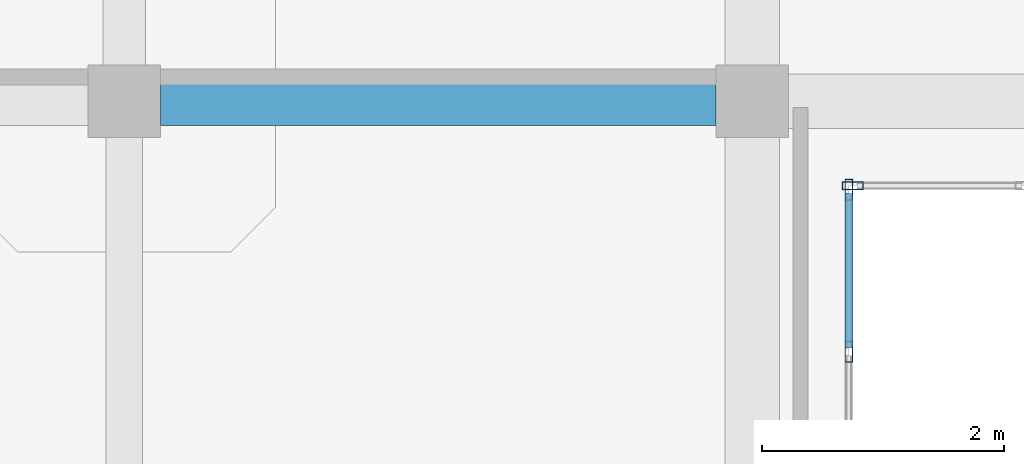
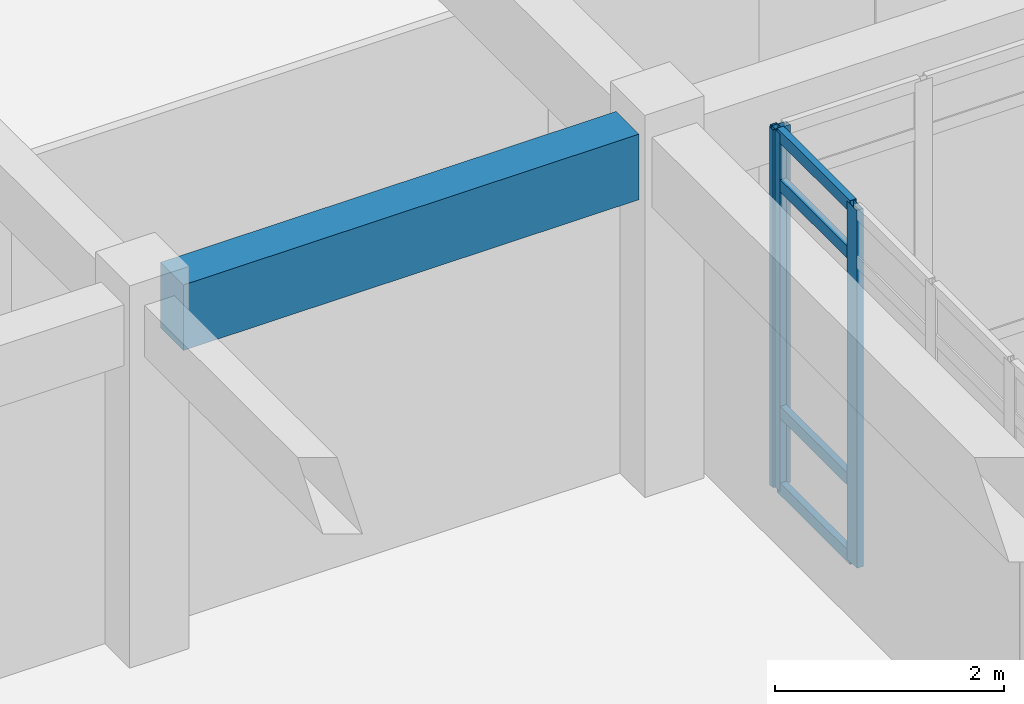
# One storey, part 105 of 146: 7 members, 1 beam, 2 elements without a shape of their own.
"""IFC4 building model written with IfcOpenShell, lengths in metres."""

from ifc_helpers import new_model, si_unit, direction, frame, origin, origin_2d, place, context, subcontext, project, spatial, rectangle, hollow_rectangle, extrude, material, layer, layer_set, material_profile, profile_set, type_object, element, aggregate, save


model = new_model("IFC4")

# Units and contexts
model_context = context("Model", 3, precision=1e-05, world=origin(), true_north=direction((0.0, 1.0)))
body_context = subcontext(model_context, "Body", "Model", "MODEL_VIEW")
ifc_project = project(units=[si_unit("LENGTHUNIT", "METRE"), si_unit("AREAUNIT", "SQUARE_METRE"), si_unit("VOLUMEUNIT", "CUBIC_METRE"), si_unit("PLANEANGLEUNIT", "RADIAN"), si_unit("MASSUNIT", "GRAM", prefix="KILO")], contexts=[model_context])

# Site, building, storey
site_placement = place(None, origin())
site = spatial("IfcSite", under=ifc_project, at=site_placement, CompositionType="ELEMENT")
building_placement = place(site_placement, origin())
building = spatial("IfcBuilding", under=site, at=building_placement, Name="Valcora Specialist Clinic", CompositionType="ELEMENT")
storey_placement = place(building_placement, frame((0.0, 0.0, 9.52001953125)))
storey = spatial("IfcBuildingStorey", under=building, at=storey_placement, Name="L02", CompositionType="ELEMENT", Elevation=9.52001953125)

# Beam
ifc_material_1 = material(Name="Concrete C40/50", Category="concrete")
ifc_material_profile_1 = material_profile(ifc_material_1, rectangle(XDim=0.39990234375, YDim=0.699951171875, at=origin_2d()), Name="RC-BM-400X700")
ifc_profile_set_1 = profile_set([ifc_material_profile_1], Name="Concrete C40/50")
beam_type = type_object("IfcBeamType", Name="TY-BM-RC400X700", PredefinedType="BEAM", material=ifc_profile_set_1)
beam_placement = place(storey_placement, frame((106.300048828125, 99.199951171875, 3.469970703125), z_axis=(1.0, 0.0, 0.0), x_axis=(0.0, 1.0, 0.0)))
element("IfcBeam", 1, at=beam_placement, inside=storey, type_object=beam_type, Name="Beam BM-L02-0724", PredefinedType="BEAM", context=body_context, shape_type="SweptSolid", body=[
    extrude(rectangle(XDim=0.39990234375, YDim=0.699951171875, at=origin_2d()), origin(), (0.0, 0.0, 1.0), 4.599853515625),
])

# Curtain wall, member
ifc_material_2 = material(Name="Anodized Bronze Aluminium 6063-T6", Category="aluminium")
ifc_layer = layer(ifc_material_2, 0.175048828125)
ifc_layer_set = layer_set([ifc_layer], Name="Anodized Bronze Aluminium 6063-T6")
curtain_wall_type = type_object("IfcCurtainWallType", Name="TY-CW-CRT15", PredefinedType="NOTDEFINED", material=ifc_layer_set)
curtain_wall_1_placement = place(storey_placement, origin())
curtain_wall_1 = element("IfcCurtainWall", 2, at=curtain_wall_1_placement, inside=storey, type_object=curtain_wall_type, Name="Curtain wall CW-L02-113", PredefinedType="NOTDEFINED")
ifc_material_profile_2 = material_profile(ifc_material_2, hollow_rectangle(XDim=0.06494140625, YDim=0.175048828125, WallThickness=0.00390625, at=origin_2d()), Name="AL-MUL-65X175")
ifc_profile_set_2 = profile_set([ifc_material_profile_2], Name="Anodized Bronze Aluminium 6063-T6")
member_type_1 = type_object("IfcMemberType", Name="TY-CWM-65X175", PredefinedType="MULLION", material=ifc_profile_set_2)
member_1_placement = place(storey_placement, frame((112.032470703125, 98.5, 0.0), z_axis=(0.0, 0.0, 1.0), x_axis=(0.0, -1.0, 0.0)))
member_1 = element("IfcMember", 3, at=member_1_placement, type_object=member_type_1, Name="CW-CRT-15 mullion 4", PredefinedType="MULLION", context=body_context, shape_type="SweptSolid", body=[
    extrude(hollow_rectangle(XDim=0.06494140625, YDim=0.175048828125, WallThickness=0.00390625, at=origin_2d()), origin(), (0.0, 0.0, 1.0), 3.820068359375),
])
aggregate(curtain_wall_1, [member_1])

# Curtain wall, members
curtain_wall_2_placement = place(storey_placement, origin())
curtain_wall_2 = element("IfcCurtainWall", 4, at=curtain_wall_2_placement, inside=storey, type_object=curtain_wall_type, Name="Curtain wall CW-L02-114", PredefinedType="NOTDEFINED")
member_2_placement = place(storey_placement, frame((112.0, 98.467529296875, 0.0), z_axis=(0.0, 0.0, 1.0), x_axis=(1.0, 0.0, 0.0)))
member_2 = element("IfcMember", 5, at=member_2_placement, type_object=member_type_1, Name="CW-CRT-15 mullion 1", PredefinedType="MULLION", context=body_context, shape_type="SweptSolid", body=[
    extrude(hollow_rectangle(XDim=0.06494140625, YDim=0.175048828125, WallThickness=0.00390625, at=origin_2d()), origin(), (0.0, 0.0, 1.0), 3.820068359375),
])
member_3_placement = place(storey_placement, frame((112.0, 97.125, 0.0), z_axis=(0.0, 0.0, 1.0), x_axis=(1.0, 0.0, 0.0)))
member_3 = element("IfcMember", 6, at=member_3_placement, type_object=member_type_1, Name="CW-CRT-15 mullion 2", PredefinedType="MULLION", context=body_context, shape_type="SweptSolid", body=[
    extrude(hollow_rectangle(XDim=0.06494140625, YDim=0.175048828125, WallThickness=0.00390625, at=origin_2d()), origin(), (0.0, 0.0, 1.0), 3.820068359375),
])
ifc_material_profile_3 = material_profile(ifc_material_2, hollow_rectangle(XDim=0.06494140625, YDim=0.1298828125, WallThickness=0.00390625, at=origin_2d()), Name="AL-TRN-65X130")
ifc_profile_set_3 = profile_set([ifc_material_profile_3], Name="Anodized Bronze Aluminium 6063-T6")
member_type_2 = type_object("IfcMemberType", Name="TY-CWT-65X130", PredefinedType="USERDEFINED", material=ifc_profile_set_3)
member_4_placement = place(storey_placement, frame((112.0, 98.43505859375, 0.032470703125), z_axis=(0.0, -1.0, 0.0), x_axis=(1.0, 0.0, 0.0)))
member_4 = element("IfcMember", 7, at=member_4_placement, type_object=member_type_2, Name="CW-CRT-15 transom 1.1", ObjectType="TRANSOM", PredefinedType="USERDEFINED", context=body_context, shape_type="SweptSolid", body=[
    extrude(hollow_rectangle(XDim=0.06494140625, YDim=0.1298828125, WallThickness=0.00390625, at=origin_2d()), origin(), (0.0, 0.0, 1.0), 1.277587890625),
])
member_5_placement = place(storey_placement, frame((112.0, 98.43505859375, 0.85009765625), z_axis=(0.0, -1.0, 0.0), x_axis=(1.0, 0.0, 0.0)))
member_5 = element("IfcMember", 8, at=member_5_placement, type_object=member_type_2, Name="CW-CRT-15 transom 1.2", ObjectType="TRANSOM", PredefinedType="USERDEFINED", context=body_context, shape_type="SweptSolid", body=[
    extrude(hollow_rectangle(XDim=0.06494140625, YDim=0.1298828125, WallThickness=0.00390625, at=origin_2d()), origin(), (0.0, 0.0, 1.0), 1.277587890625),
])
member_6_placement = place(storey_placement, frame((112.0, 98.43505859375, 3.27001953125), z_axis=(0.0, -1.0, 0.0), x_axis=(1.0, 0.0, 0.0)))
member_6 = element("IfcMember", 9, at=member_6_placement, type_object=member_type_2, Name="CW-CRT-15 transom 1.3", ObjectType="TRANSOM", PredefinedType="USERDEFINED", context=body_context, shape_type="SweptSolid", body=[
    extrude(hollow_rectangle(XDim=0.06494140625, YDim=0.1298828125, WallThickness=0.00390625, at=origin_2d()), origin(), (0.0, 0.0, 1.0), 1.277587890625),
])
member_7_placement = place(storey_placement, frame((112.0, 98.43505859375, 3.78759765625), z_axis=(0.0, -1.0, 0.0), x_axis=(1.0, 0.0, 0.0)))
member_7 = element("IfcMember", 10, at=member_7_placement, type_object=member_type_2, Name="CW-CRT-15 transom 1.4", ObjectType="TRANSOM", PredefinedType="USERDEFINED", context=body_context, shape_type="SweptSolid", body=[
    extrude(hollow_rectangle(XDim=0.06494140625, YDim=0.1298828125, WallThickness=0.00390625, at=origin_2d()), origin(), (0.0, 0.0, 1.0), 1.277587890625),
])
aggregate(curtain_wall_2, [member_2, member_3, member_4, member_5, member_6, member_7])

save(model, "model.ifc")
